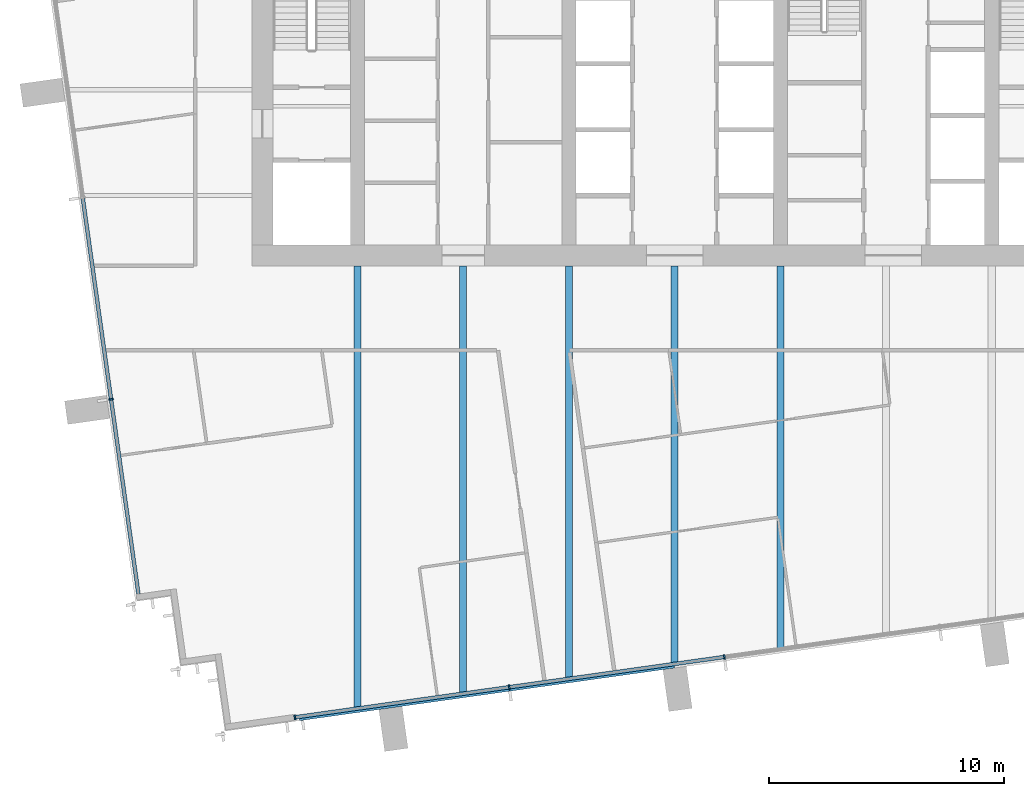
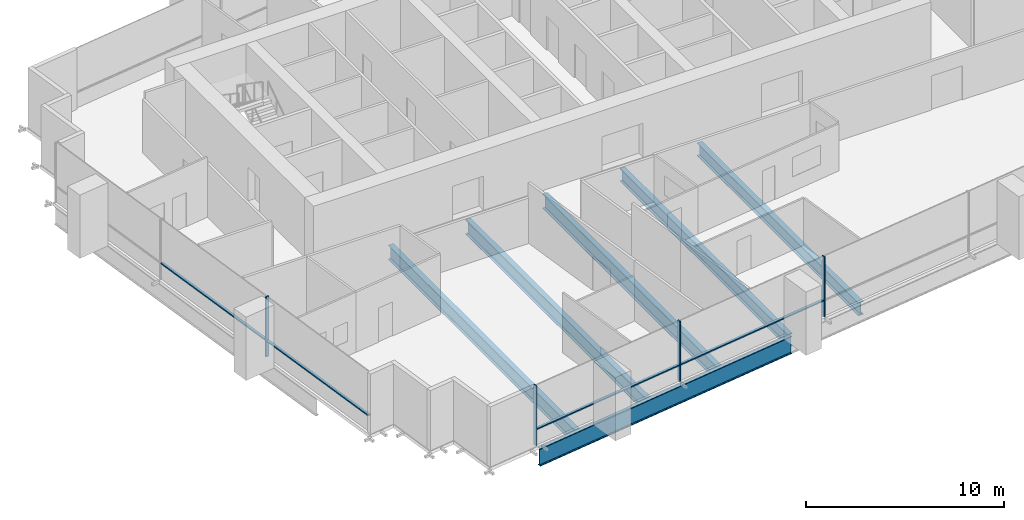
# One storey, part 2 of 12: 8 members, 6 beams, 2 elements without a shape of their own.
"""IFC4 building model written with IfcOpenShell, lengths in metres."""

from ifc_helpers import new_model, si_unit, direction, frame, origin, origin_2d, place, context, subcontext, project, spatial, rectangle, i_section, extrude, material, layer, layer_set, material_profile, profile_set, type_object, element, aggregate, save


model = new_model("IFC4")

# Units and contexts
model_context = context("Model", 3, precision=1e-05, world=origin(), true_north=direction((0.0, 1.0)))
body_context = subcontext(model_context, "Body", "Model", "MODEL_VIEW")
ifc_project = project(units=[si_unit("LENGTHUNIT", "METRE"), si_unit("AREAUNIT", "SQUARE_METRE"), si_unit("VOLUMEUNIT", "CUBIC_METRE"), si_unit("PLANEANGLEUNIT", "RADIAN"), si_unit("MASSUNIT", "GRAM", prefix="KILO")], contexts=[model_context])

# Site, building, storey
site_placement = place(None, origin())
site = spatial("IfcSite", under=ifc_project, at=site_placement, CompositionType="ELEMENT")
building_placement = place(site_placement, origin())
building = spatial("IfcBuilding", under=site, at=building_placement, Name="Rattan Terrace Tower", CompositionType="ELEMENT")
storey_placement = place(building_placement, frame((0.0, 0.0, 259.0)))
storey = spatial("IfcBuildingStorey", under=building, at=storey_placement, Name="L59", CompositionType="ELEMENT", Elevation=259.0)

# Beams
ifc_material_1 = material(Name="Steel S460", Category="steel")
ifc_material_profile_1 = material_profile(ifc_material_1, i_section(OverallWidth=0.179931640625, OverallDepth=1.10009765625, WebThickness=0.01611328125, FlangeThickness=0.050048828125, at=origin_2d()), Name="PG 1100x180-16-50")
ifc_profile_set_1 = profile_set([ifc_material_profile_1], Name="Steel S460")
beam_type_1 = type_object("IfcBeamType", Name="Frame edge girder PG 1100x180-16-50", PredefinedType="SPANDREL", material=ifc_profile_set_1)
beam_1_placement = place(storey_placement, frame((-15.969970703125, -26.77099609375, -0.75), z_axis=(0.990265456284, 0.139191688294, 0.0), x_axis=(-0.139191688294, 0.990265456284, 0.0)))
element("IfcBeam", 1, at=beam_1_placement, inside=storey, type_object=beam_type_1, Name="gdr-L59-001", PredefinedType="SPANDREL", context=body_context, shape_type="SweptSolid", body=[
    extrude(i_section(OverallWidth=0.179931640625, OverallDepth=1.10009765625, WebThickness=0.01611328125, FlangeThickness=0.050048828125, at=origin_2d()), origin(), (0.0, 0.0, 1.0), 16.114013671875),
])
ifc_material_2 = material(Name="Steel S355", Category="steel")
ifc_material_profile_2 = material_profile(ifc_material_2, i_section(OverallWidth=0.300048828125, OverallDepth=0.800048828125, WebThickness=0.017578125, FlangeThickness=0.032958984375, FilletRadius=0.030029296875, at=origin_2d()), Name="HE 800 B")
ifc_profile_set_2 = profile_set([ifc_material_profile_2], Name="Steel S355")
beam_type_2 = type_object("IfcBeamType", Name="Frame floor beam HE 800 B", PredefinedType="JOIST", material=ifc_profile_set_2)
beam_2_placement = place(storey_placement, frame((0.0, -24.4140625, -0.60009765625), z_axis=(0.0, 1.0, 0.0), x_axis=(-1.0, 0.0, 0.0)))
element("IfcBeam", 2, at=beam_2_placement, inside=storey, type_object=beam_type_2, Name="bm-L59-006", PredefinedType="JOIST", context=body_context, shape_type="SweptSolid", body=[
    extrude(i_section(OverallWidth=0.300048828125, OverallDepth=0.800048828125, WebThickness=0.017578125, FlangeThickness=0.032958984375, FilletRadius=0.030029296875, at=origin_2d()), origin(), (0.0, 0.0, 1.0), 16.9140625),
])
beam_3_placement = place(storey_placement, frame((4.5, -23.781982421875, -0.60009765625), z_axis=(0.0, 1.0, 0.0), x_axis=(-1.0, 0.0, 0.0)))
element("IfcBeam", 3, at=beam_3_placement, inside=storey, type_object=beam_type_2, Name="bm-L59-007", PredefinedType="JOIST", context=body_context, shape_type="SweptSolid", body=[
    extrude(i_section(OverallWidth=0.300048828125, OverallDepth=0.800048828125, WebThickness=0.017578125, FlangeThickness=0.032958984375, FilletRadius=0.030029296875, at=origin_2d()), origin(), (0.0, 0.0, 1.0), 16.281982421875),
])
ifc_material_3 = material(Name="Steel S355", Category="steel")
ifc_material_profile_3 = material_profile(ifc_material_3, i_section(OverallWidth=0.300048828125, OverallDepth=0.89990234375, WebThickness=0.0185546875, FlangeThickness=0.034912109375, FilletRadius=0.030029296875, at=origin_2d()), Name="HE 900 B")
ifc_profile_set_3 = profile_set([ifc_material_profile_3], Name="Steel S355")
beam_type_3 = type_object("IfcBeamType", Name="Frame floor beam HE 900 B", PredefinedType="JOIST", material=ifc_profile_set_3)
beam_4_placement = place(storey_placement, frame((-13.5, -26.31201171875, -0.64990234375), z_axis=(0.0, 1.0, 0.0), x_axis=(-1.0, 0.0, 0.0)))
element("IfcBeam", 4, at=beam_4_placement, inside=storey, type_object=beam_type_3, Name="bm-L59-003", PredefinedType="JOIST", context=body_context, shape_type="SweptSolid", body=[
    extrude(i_section(OverallWidth=0.300048828125, OverallDepth=0.89990234375, WebThickness=0.0185546875, FlangeThickness=0.034912109375, FilletRadius=0.030029296875, at=origin_2d()), origin(), (0.0, 0.0, 1.0), 18.81201171875),
])
beam_5_placement = place(storey_placement, frame((-9.0, -25.678955078125, -0.64990234375), z_axis=(0.0, 1.0, 0.0), x_axis=(-1.0, 0.0, 0.0)))
element("IfcBeam", 5, at=beam_5_placement, inside=storey, type_object=beam_type_3, Name="bm-L59-004", PredefinedType="JOIST", context=body_context, shape_type="SweptSolid", body=[
    extrude(i_section(OverallWidth=0.300048828125, OverallDepth=0.89990234375, WebThickness=0.0185546875, FlangeThickness=0.034912109375, FilletRadius=0.030029296875, at=origin_2d()), origin(), (0.0, 0.0, 1.0), 18.178955078125),
])
beam_6_placement = place(storey_placement, frame((-4.5, -25.047119140625, -0.64990234375), z_axis=(0.0, 1.0, 0.0), x_axis=(-1.0, 0.0, 0.0)))
element("IfcBeam", 6, at=beam_6_placement, inside=storey, type_object=beam_type_3, Name="bm-L59-005", PredefinedType="JOIST", context=body_context, shape_type="SweptSolid", body=[
    extrude(i_section(OverallWidth=0.300048828125, OverallDepth=0.89990234375, WebThickness=0.0185546875, FlangeThickness=0.034912109375, FilletRadius=0.030029296875, at=origin_2d()), origin(), (0.0, 0.0, 1.0), 17.547119140625),
])

# Curtain wall, member
ifc_material_4 = material(Name="Aluminium and laminated glass", Category="aluminium")
ifc_layer = layer(ifc_material_4, 0.199951171875)
ifc_layer_set = layer_set([ifc_layer], Name="High-Zone Unitised Curtain Wall")
curtain_wall_type = type_object("IfcCurtainWallType", Name="High-Zone Unitised Curtain Wall", PredefinedType="NOTDEFINED", material=ifc_layer_set)
curtain_wall_1_placement = place(storey_placement, origin())
curtain_wall_1 = element("IfcCurtainWall", 7, at=curtain_wall_1_placement, inside=storey, type_object=curtain_wall_type, Name="High-zone curtain wall L59-3", PredefinedType="NOTDEFINED")
ifc_material_5 = material(Name="Aluminium", Category="aluminium")
ifc_material_profile_4 = material_profile(ifc_material_5, rectangle(XDim=0.070068359375, YDim=0.199951171875, at=origin_2d()), Name="Aluminium 70x200")
ifc_profile_set_4 = profile_set([ifc_material_profile_4], Name="Aluminium")
member_type_1 = type_object("IfcMemberType", Name="High-Zone CW Mullion 70x200", PredefinedType="MULLION", material=ifc_profile_set_4)
member_1_placement = place(storey_placement, frame((-23.989990234375, -13.177490234375, 0.0), z_axis=(0.0, 0.0, 1.0), x_axis=(0.139191775431, -0.990265444036, 0.0)))
member_1 = element("IfcMember", 8, at=member_1_placement, type_object=member_type_1, Name="Mullion cwl-L59-003.3", PredefinedType="MULLION", context=body_context, shape_type="SweptSolid", body=[
    extrude(rectangle(XDim=0.070068359375, YDim=0.199951171875, at=origin_2d()), origin(), (0.0, 0.0, 1.0), 3.699951171875),
])

# Curtain wall, members
curtain_wall_2_placement = place(storey_placement, origin())
curtain_wall_2 = element("IfcCurtainWall", 9, at=curtain_wall_2_placement, inside=storey, type_object=curtain_wall_type, Name="High-zone curtain wall L59-4", PredefinedType="NOTDEFINED")
member_2_placement = place(storey_placement, frame((-16.1650390625, -26.716796875, 0.0), z_axis=(0.0, 0.0, 1.0), x_axis=(0.990265894013, 0.139188574079, 0.0)))
member_2 = element("IfcMember", 10, at=member_2_placement, type_object=member_type_1, Name="Mullion cwl-L59-004.1", PredefinedType="MULLION", context=body_context, shape_type="SweptSolid", body=[
    extrude(rectangle(XDim=0.070068359375, YDim=0.199951171875, at=origin_2d()), origin(), (0.0, 0.0, 1.0), 3.699951171875),
])
member_3_placement = place(storey_placement, frame((-7.040771484375, -25.434326171875, 0.0), z_axis=(0.0, 0.0, 1.0), x_axis=(0.990265894013, 0.139188574079, 0.0)))
member_3 = element("IfcMember", 11, at=member_3_placement, type_object=member_type_1, Name="Mullion cwl-L59-004.2", PredefinedType="MULLION", context=body_context, shape_type="SweptSolid", body=[
    extrude(rectangle(XDim=0.070068359375, YDim=0.199951171875, at=origin_2d()), origin(), (0.0, 0.0, 1.0), 3.699951171875),
])
member_4_placement = place(storey_placement, frame((2.1181640625, -24.14697265625, 0.0), z_axis=(0.0, 0.0, 1.0), x_axis=(0.990265894013, 0.139188574079, 0.0)))
member_4 = element("IfcMember", 12, at=member_4_placement, type_object=member_type_1, Name="Mullion cwl-L59-004.3", PredefinedType="MULLION", context=body_context, shape_type="SweptSolid", body=[
    extrude(rectangle(XDim=0.070068359375, YDim=0.199951171875, at=origin_2d()), origin(), (0.0, 0.0, 1.0), 3.699951171875),
])

# Member
ifc_material_6 = material(Name="Aluminium", Category="aluminium")
ifc_material_profile_5 = material_profile(ifc_material_6, rectangle(XDim=0.159912109375, YDim=0.070068359375, at=origin_2d()), Name="Aluminium 160x70")
ifc_profile_set_5 = profile_set([ifc_material_profile_5], Name="Aluminium")
member_type_2 = type_object("IfcMemberType", Name="High-Zone CW Transom 160x70", PredefinedType="USERDEFINED", material=ifc_profile_set_5)
member_5_placement = place(storey_placement, frame((-25.19140625, -4.629638671875, 1.0), z_axis=(0.139182599995, -0.990266733693, 0.0), x_axis=(0.990266733693, 0.139182599995, 0.0)))
member_5 = element("IfcMember", 13, at=member_5_placement, type_object=member_type_2, Name="Transom cwl-L59-003.2", ObjectType="TRANSOM", PredefinedType="USERDEFINED", context=body_context, shape_type="SweptSolid", body=[
    extrude(rectangle(XDim=0.159912109375, YDim=0.070068359375, at=origin_2d()), origin(), (0.0, 0.0, 1.0), 8.596923828125),
])

member_6_placement = place(storey_placement, frame((-23.985107421875, -13.212158203125, 1.0), z_axis=(0.139198740199, -0.990264465043, 0.0), x_axis=(0.990264465043, 0.139198740199, 0.0)))
member_6 = element("IfcMember", 14, at=member_6_placement, type_object=member_type_2, Name="Transom cwl-L59-003.3", ObjectType="TRANSOM", PredefinedType="USERDEFINED", context=body_context, shape_type="SweptSolid", body=[
    extrude(rectangle(XDim=0.159912109375, YDim=0.070068359375, at=origin_2d()), origin(), (0.0, 0.0, 1.0), 8.336181640625),
])

aggregate(curtain_wall_1, [member_1, member_5, member_6])

member_7_placement = place(storey_placement, frame((-16.13037109375, -26.7119140625, 1.0), z_axis=(0.990266298783, 0.139185694291, 0.0), x_axis=(-0.139185694291, 0.990266298783, 0.0)))
member_7 = element("IfcMember", 15, at=member_7_placement, type_object=member_type_2, Name="Transom cwl-L59-004.1", ObjectType="TRANSOM", PredefinedType="USERDEFINED", context=body_context, shape_type="SweptSolid", body=[
    extrude(rectangle(XDim=0.159912109375, YDim=0.070068359375, at=origin_2d()), origin(), (0.0, 0.0, 1.0), 9.14404296875),
])

member_8_placement = place(storey_placement, frame((-7.006103515625, -25.429443359375, 1.0), z_axis=(0.990266147156, 0.139186773067, 0.0), x_axis=(-0.139186773067, 0.990266147156, 0.0)))
member_8 = element("IfcMember", 16, at=member_8_placement, type_object=member_type_2, Name="Transom cwl-L59-004.2", ObjectType="TRANSOM", PredefinedType="USERDEFINED", context=body_context, shape_type="SweptSolid", body=[
    extrude(rectangle(XDim=0.159912109375, YDim=0.070068359375, at=origin_2d()), origin(), (0.0, 0.0, 1.0), 9.178955078125),
])

aggregate(curtain_wall_2, [member_2, member_3, member_4, member_7, member_8])

save(model, "model.ifc")
